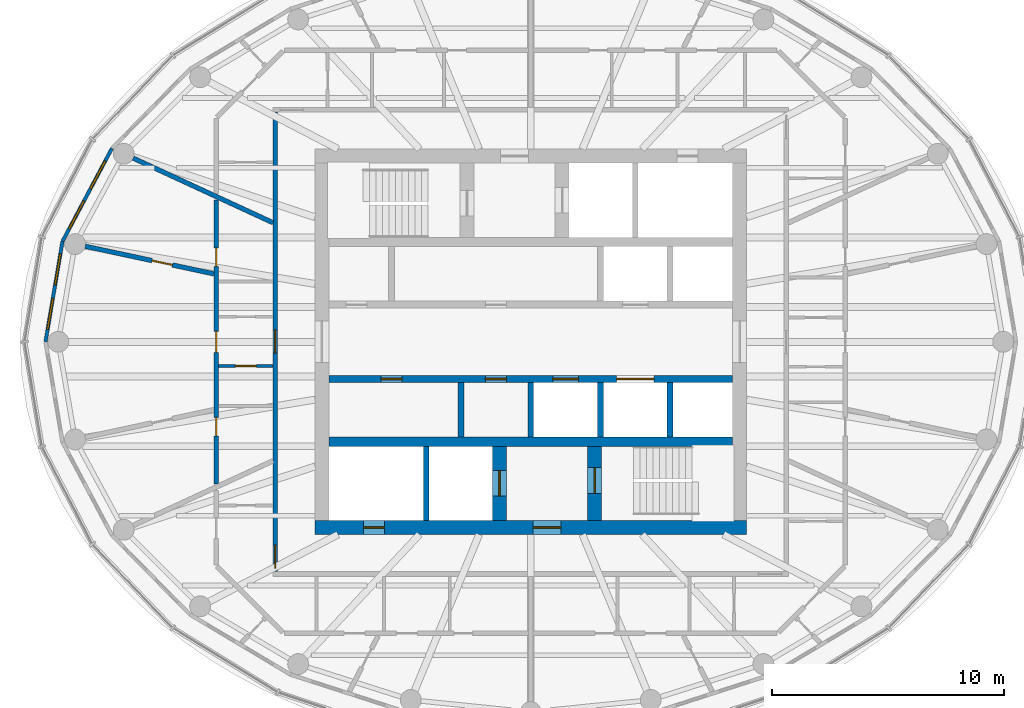
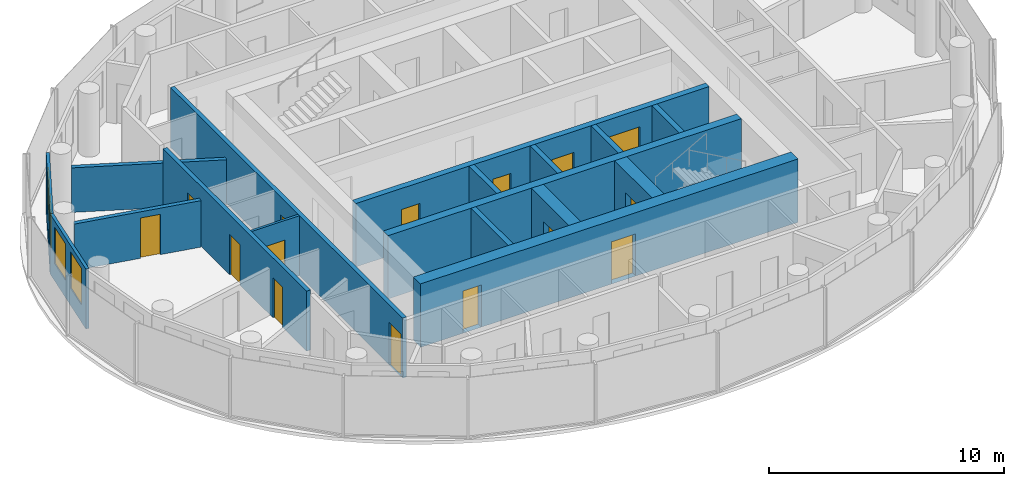
# One storey, part 6 of 11: 17 walls, 15 doors, 4 windows, 19 openings.
"""IFC4 building model written with IfcOpenShell, lengths in metres."""

from ifc_helpers import new_model, si_unit, direction, frame, frame_2d, origin, place, context, subcontext, project, spatial, rectangle, extrude, material, layer, layer_set, type_object, element, fill, save


model = new_model("IFC4")

# Units and contexts
model_context = context("Model", 3, precision=1e-05, world=origin(), true_north=direction((0.0, 1.0)))
body_context = subcontext(model_context, "Body", "Model", "MODEL_VIEW")
ifc_project = project(units=[si_unit("LENGTHUNIT", "METRE"), si_unit("AREAUNIT", "SQUARE_METRE"), si_unit("VOLUMEUNIT", "CUBIC_METRE"), si_unit("PLANEANGLEUNIT", "RADIAN"), si_unit("MASSUNIT", "GRAM", prefix="KILO")], contexts=[model_context])

# Site, building, storey
site_placement = place(None, origin())
site = spatial("IfcSite", under=ifc_project, at=site_placement, CompositionType="ELEMENT")
building_placement = place(site_placement, origin())
building = spatial("IfcBuilding", under=site, at=building_placement, Name="Hankou Lantern Tower", CompositionType="ELEMENT")
storey_placement = place(building_placement, frame((0.0, 0.0, 225.89990234375)))
storey = spatial("IfcBuildingStorey", under=building, at=storey_placement, Name="L61", CompositionType="ELEMENT", Elevation=225.89990234375)

# Wall, openings, doors
ifc_material_1 = material(Name="Concrete C60", Category="concrete")
ifc_layer_1 = layer(ifc_material_1, 0.60009765625)
ifc_layer_set_1 = layer_set([ifc_layer_1], Name="Concrete C60")
wall_type_1 = type_object("IfcWallType", Name="CW3 CORE WALL 600", PredefinedType="SHEAR", material=ifc_layer_set_1)
wall_1_placement = place(storey_placement, frame((9.300048828125, -8.0, 0.0), z_axis=(0.0, 0.0, 1.0), x_axis=(-1.0, 0.0, 0.0)))
wall_1 = element("IfcWall", 1, at=wall_1_placement, inside=storey, type_object=wall_type_1, Name="Core wall south L61", PredefinedType="SHEAR", context=body_context, shape_type="SweptSolid", body=[
    extrude(rectangle(XDim=18.60009765625, YDim=0.60009765625, at=frame_2d((9.300048828125, 0.0))), origin(), (0.0, 0.0, 1.0), 3.300048828125),
])
opening_1_placement = place(wall_1_placement, frame((8.0, 0.0, 0.0)))
opening_1 = element("IfcOpeningElement", 2, at=opening_1_placement, cuts=wall_1, Name="Opening D5", PredefinedType="OPENING", context=body_context, shape_type="SweptSolid", body=[
    extrude(rectangle(XDim=1.199951171875, YDim=2.199951171875, at=frame_2d((0.60009765625, 1.10009765625))), frame((0.0, 0.31005859375, 0.0), z_axis=(0.0, -1.0, 0.0), x_axis=(1.0, 0.0, 0.0)), (0.0, 0.0, 1.0), 0.6201171875),
])
opening_2_placement = place(wall_1_placement, frame((15.60009765625, 0.0, 0.0)))
opening_2 = element("IfcOpeningElement", 3, at=opening_2_placement, cuts=wall_1, Name="Opening D7", PredefinedType="OPENING", context=body_context, shape_type="SweptSolid", body=[
    extrude(rectangle(XDim=0.89990234375, YDim=2.199951171875, at=frame_2d((0.449951171875, 1.10009765625))), frame((0.0, 0.31005859375, 0.0), z_axis=(0.0, -1.0, 0.0), x_axis=(1.0, 0.0, 0.0)), (0.0, 0.0, 1.0), 0.6201171875),
])
ifc_material_2 = material(Name="Steel door leaf", Category="steel")
door_type_1 = type_object("IfcDoorType", Name="D5 STAIR LOBBY DOOR 1200X2200", OperationType="SINGLE_SWING_LEFT", PredefinedType="DOOR", material=ifc_material_2)
door_1_placement = place(opening_1_placement, origin())
door_1 = element("IfcDoor", 4, at=door_1_placement, inside=storey, type_object=door_type_1, Name="Stair B lobby door", OperationType="SINGLE_SWING_LEFT", OverallHeight=2.199951171875, OverallWidth=1.199951171875, PredefinedType="DOOR", context=body_context, shape_type="SweptSolid", body=[
    extrude(rectangle(XDim=1.199951171875, YDim=2.199951171875, at=frame_2d((0.60009765625, 1.10009765625))), frame((0.0, 0.02490234375, 0.0), z_axis=(0.0, -1.0, 0.0), x_axis=(1.0, 0.0, 0.0)), (0.0, 0.0, 1.0), 0.050048828125),
])
fill(opening_1, door_1)
ifc_material_3 = material(Name="Steel door leaf", Category="steel")
door_type_2 = type_object("IfcDoorType", Name="D7 RISER DOOR 900X2200", OperationType="SINGLE_SWING_LEFT", PredefinedType="DOOR", material=ifc_material_3)
door_2_placement = place(opening_2_placement, origin())
door_2 = element("IfcDoor", 5, at=door_2_placement, inside=storey, type_object=door_type_2, Name="Riser S1 door", OperationType="SINGLE_SWING_RIGHT", OverallHeight=2.199951171875, OverallWidth=0.89990234375, PredefinedType="DOOR", context=body_context, shape_type="SweptSolid", body=[
    extrude(rectangle(XDim=0.89990234375, YDim=2.199951171875, at=frame_2d((0.449951171875, 1.10009765625))), frame((0.0, 0.02490234375, 0.0), z_axis=(0.0, -1.0, 0.0), x_axis=(1.0, 0.0, 0.0)), (0.0, 0.0, 1.0), 0.050048828125),
])
fill(opening_2, door_2)

# Wall
ifc_material_4 = material(Name="Concrete C60", Category="concrete")
ifc_layer_2 = layer(ifc_material_4, 0.39990234375)
ifc_layer_set_2 = layer_set([ifc_layer_2], Name="Concrete C60")
wall_type_2 = type_object("IfcWallType", Name="CW4 CORE CROSS WALL 400", PredefinedType="SHEAR", material=ifc_layer_set_2)
wall_2_placement = place(storey_placement, frame((-8.699951171875, -4.300048828125, 0.0), z_axis=(0.0, 0.0, 1.0), x_axis=(1.0, 0.0, 0.0)))
element("IfcWall", 6, at=wall_2_placement, inside=storey, type_object=wall_type_2, Name="Core band wall south L61", PredefinedType="SHEAR", context=body_context, shape_type="SweptSolid", body=[
    extrude(rectangle(XDim=17.39990234375, YDim=0.39990234375, at=frame_2d((8.699951171875, 0.0))), origin(), (0.0, 0.0, 1.0), 3.300048828125),
])

# Wall, openings, doors
ifc_material_5 = material(Name="Concrete C60", Category="concrete")
ifc_layer_3 = layer(ifc_material_5, 0.300048828125)
ifc_layer_set_3 = layer_set([ifc_layer_3], Name="Concrete C60")
wall_type_3 = type_object("IfcWallType", Name="CW5 LIFT LOBBY WALL 300", PredefinedType="SHEAR", material=ifc_layer_set_3)
wall_3_placement = place(storey_placement, frame((-8.699951171875, -1.60009765625, 0.0), z_axis=(0.0, 0.0, 1.0), x_axis=(1.0, 0.0, 0.0)))
wall_3 = element("IfcWall", 7, at=wall_3_placement, inside=storey, type_object=wall_type_3, Name="Lift lobby wall south L61", PredefinedType="SHEAR", context=body_context, shape_type="SweptSolid", body=[
    extrude(rectangle(XDim=17.39990234375, YDim=0.300048828125, at=frame_2d((8.699951171875, 0.0))), origin(), (0.0, 0.0, 1.0), 3.300048828125),
])
opening_3_placement = place(wall_3_placement, frame((9.64990234375, 0.0, 0.0)))
opening_3 = element("IfcOpeningElement", 8, at=opening_3_placement, cuts=wall_3, Name="Opening LD1", PredefinedType="OPENING", context=body_context, shape_type="SweptSolid", body=[
    extrude(rectangle(XDim=1.10009765625, YDim=2.199951171875, at=frame_2d((0.550048828125, 1.10009765625))), frame((0.0, 0.159912109375, 0.0), z_axis=(0.0, -1.0, 0.0), x_axis=(1.0, 0.0, 0.0)), (0.0, 0.0, 1.0), 0.320068359375),
])
opening_4_placement = place(wall_3_placement, frame((12.39990234375, 0.0, 0.0)))
opening_4 = element("IfcOpeningElement", 9, at=opening_4_placement, cuts=wall_3, Name="Opening LD4", PredefinedType="OPENING", context=body_context, shape_type="SweptSolid", body=[
    extrude(rectangle(XDim=1.60009765625, YDim=2.39990234375, at=frame_2d((0.800048828125, 1.199951171875))), frame((0.0, 0.159912109375, 0.0), z_axis=(0.0, -1.0, 0.0), x_axis=(1.0, 0.0, 0.0)), (0.0, 0.0, 1.0), 0.320068359375),
])
opening_5_placement = place(wall_3_placement, frame((2.25, 0.0, 0.0)))
opening_5 = element("IfcOpeningElement", 10, at=opening_5_placement, cuts=wall_3, Name="Opening D30", PredefinedType="OPENING", context=body_context, shape_type="SweptSolid", body=[
    extrude(rectangle(XDim=0.89990234375, YDim=2.199951171875, at=frame_2d((0.449951171875, 1.10009765625))), frame((0.0, 0.159912109375, 0.0), z_axis=(0.0, -1.0, 0.0), x_axis=(1.0, 0.0, 0.0)), (0.0, 0.0, 1.0), 0.320068359375),
])
opening_6_placement = place(wall_3_placement, frame((6.75, 0.0, 0.0)))
opening_6 = element("IfcOpeningElement", 11, at=opening_6_placement, cuts=wall_3, Name="Opening D30", PredefinedType="OPENING", context=body_context, shape_type="SweptSolid", body=[
    extrude(rectangle(XDim=0.89990234375, YDim=2.199951171875, at=frame_2d((0.449951171875, 1.10009765625))), frame((0.0, 0.159912109375, 0.0), z_axis=(0.0, -1.0, 0.0), x_axis=(1.0, 0.0, 0.0)), (0.0, 0.0, 1.0), 0.320068359375),
])
ifc_material_6 = material(Name="Steel door leaf", Category="steel")
door_type_3 = type_object("IfcDoorType", Name="D30 CORE ROOM DOOR 900X2200", OperationType="SINGLE_SWING_LEFT", PredefinedType="DOOR", material=ifc_material_6)
door_3_placement = place(opening_5_placement, origin())
door_3 = element("IfcDoor", 12, at=door_3_placement, inside=storey, type_object=door_type_3, Name="Engineering store door", OperationType="SINGLE_SWING_LEFT", OverallHeight=2.199951171875, OverallWidth=0.89990234375, PredefinedType="DOOR", context=body_context, shape_type="SweptSolid", body=[
    extrude(rectangle(XDim=0.89990234375, YDim=2.199951171875, at=frame_2d((0.449951171875, 1.10009765625))), frame((0.0, 0.02490234375, 0.0), z_axis=(0.0, -1.0, 0.0), x_axis=(1.0, 0.0, 0.0)), (0.0, 0.0, 1.0), 0.050048828125),
])
fill(opening_5, door_3)
door_4_placement = place(opening_6_placement, origin())
door_4 = element("IfcDoor", 13, at=door_4_placement, inside=storey, type_object=door_type_3, Name="Cleaner's store door", OperationType="SINGLE_SWING_LEFT", OverallHeight=2.199951171875, OverallWidth=0.89990234375, PredefinedType="DOOR", context=body_context, shape_type="SweptSolid", body=[
    extrude(rectangle(XDim=0.89990234375, YDim=2.199951171875, at=frame_2d((0.449951171875, 1.10009765625))), frame((0.0, 0.02490234375, 0.0), z_axis=(0.0, -1.0, 0.0), x_axis=(1.0, 0.0, 0.0)), (0.0, 0.0, 1.0), 0.050048828125),
])
fill(opening_6, door_4)
ifc_material_7 = material(Name="Steel door leaf", Category="steel")
door_type_4 = type_object("IfcDoorType", Name="LD1 LIFT LANDING DOOR 1100X2200", OperationType="DOUBLE_DOOR_SLIDING", PredefinedType="DOOR", material=ifc_material_7)
door_5_placement = place(opening_3_placement, origin())
door_5 = element("IfcDoor", 14, at=door_5_placement, inside=storey, type_object=door_type_4, Name="Lift T2 landing door", OperationType="DOUBLE_DOOR_SLIDING", OverallHeight=2.199951171875, OverallWidth=1.10009765625, PredefinedType="DOOR", context=body_context, shape_type="SweptSolid", body=[
    extrude(rectangle(XDim=1.10009765625, YDim=2.199951171875, at=frame_2d((0.550048828125, 1.10009765625))), frame((0.0, 0.02490234375, 0.0), z_axis=(0.0, -1.0, 0.0), x_axis=(1.0, 0.0, 0.0)), (0.0, 0.0, 1.0), 0.050048828125),
])
fill(opening_3, door_5)
ifc_material_8 = material(Name="Steel door leaf", Category="steel")
door_type_5 = type_object("IfcDoorType", Name="LD4 SERVICE LIFT LANDING DOOR 1600X2400", OperationType="DOUBLE_DOOR_SLIDING", PredefinedType="DOOR", material=ifc_material_8)
door_6_placement = place(opening_4_placement, origin())
door_6 = element("IfcDoor", 15, at=door_6_placement, inside=storey, type_object=door_type_5, Name="Lift SV1 landing door", OperationType="DOUBLE_DOOR_SLIDING", OverallHeight=2.39990234375, OverallWidth=1.60009765625, PredefinedType="DOOR", context=body_context, shape_type="SweptSolid", body=[
    extrude(rectangle(XDim=1.60009765625, YDim=2.39990234375, at=frame_2d((0.800048828125, 1.199951171875))), frame((0.0, 0.02490234375, 0.0), z_axis=(0.0, -1.0, 0.0), x_axis=(1.0, 0.0, 0.0)), (0.0, 0.0, 1.0), 0.050048828125),
])
fill(opening_4, door_6)

# Wall, opening, door
ifc_material_9 = material(Name="Concrete C60", Category="concrete")
ifc_layer_4 = layer(ifc_material_9, 0.60009765625)
ifc_layer_set_4 = layer_set([ifc_layer_4], Name="Concrete C60")
wall_type_4 = type_object("IfcWallType", Name="CW6 STAIR AND SHAFT WALL 600", PredefinedType="SHEAR", material=ifc_layer_set_4)
wall_4_placement = place(storey_placement, frame((2.75, -7.699951171875, 0.0), z_axis=(0.0, 0.0, 1.0), x_axis=(0.0, 1.0, 0.0)))
wall_4 = element("IfcWall", 16, at=wall_4_placement, inside=storey, type_object=wall_type_4, Name="Stair wall L61", PredefinedType="SHEAR", context=body_context, shape_type="SweptSolid", body=[
    extrude(rectangle(XDim=3.199951171875, YDim=0.60009765625, at=frame_2d((1.60009765625, 0.0))), origin(), (0.0, 0.0, 1.0), 3.300048828125),
])
opening_7_placement = place(wall_4_placement, frame((1.175048828125, 0.0, 0.0)))
opening_7 = element("IfcOpeningElement", 17, at=opening_7_placement, cuts=wall_4, Name="Opening D4", PredefinedType="OPENING", context=body_context, shape_type="SweptSolid", body=[
    extrude(rectangle(XDim=1.10009765625, YDim=2.199951171875, at=frame_2d((0.550048828125, 1.10009765625))), frame((0.0, 0.31005859375, 0.0), z_axis=(0.0, -1.0, 0.0), x_axis=(1.0, 0.0, 0.0)), (0.0, 0.0, 1.0), 0.6201171875),
])
ifc_material_10 = material(Name="Steel door leaf", Category="steel")
door_type_6 = type_object("IfcDoorType", Name="D4 STAIR DOOR 1100X2200", OperationType="SINGLE_SWING_LEFT", PredefinedType="DOOR", material=ifc_material_10)
door_7_placement = place(opening_7_placement, origin())
door_7 = element("IfcDoor", 18, at=door_7_placement, inside=storey, type_object=door_type_6, Name="Stair B door", OperationType="SINGLE_SWING_RIGHT", OverallHeight=2.199951171875, OverallWidth=1.10009765625, PredefinedType="DOOR", context=body_context, shape_type="SweptSolid", body=[
    extrude(rectangle(XDim=1.10009765625, YDim=2.199951171875, at=frame_2d((0.550048828125, 1.10009765625))), frame((0.0, 0.02490234375, 0.0), z_axis=(0.0, -1.0, 0.0), x_axis=(1.0, 0.0, 0.0)), (0.0, 0.0, 1.0), 0.050048828125),
])
fill(opening_7, door_7)

wall_5_placement = place(storey_placement, frame((-1.35009765625, -7.699951171875, 0.0), z_axis=(0.0, 0.0, 1.0), x_axis=(0.0, 1.0, 0.0)))
wall_5 = element("IfcWall", 19, at=wall_5_placement, inside=storey, type_object=wall_type_4, Name="Firefighting lift shaft wall L61", PredefinedType="SHEAR", context=body_context, shape_type="SweptSolid", body=[
    extrude(rectangle(XDim=3.199951171875, YDim=0.60009765625, at=frame_2d((1.60009765625, 0.0))), origin(), (0.0, 0.0, 1.0), 3.300048828125),
])
opening_8_placement = place(wall_5_placement, frame((1.050048828125, 0.0, 0.0)))
opening_8 = element("IfcOpeningElement", 20, at=opening_8_placement, cuts=wall_5, Name="Opening LD2", PredefinedType="OPENING", context=body_context, shape_type="SweptSolid", body=[
    extrude(rectangle(XDim=1.10009765625, YDim=2.199951171875, at=frame_2d((0.550048828125, 1.10009765625))), frame((0.0, 0.31005859375, 0.0), z_axis=(0.0, -1.0, 0.0), x_axis=(1.0, 0.0, 0.0)), (0.0, 0.0, 1.0), 0.6201171875),
])
ifc_material_11 = material(Name="Steel door leaf", Category="steel")
door_type_7 = type_object("IfcDoorType", Name="LD2 FIREFIGHTING LIFT LANDING DOOR 1100X2200", OperationType="DOUBLE_DOOR_SLIDING", PredefinedType="DOOR", material=ifc_material_11)
door_8_placement = place(opening_8_placement, origin())
door_8 = element("IfcDoor", 21, at=door_8_placement, inside=storey, type_object=door_type_7, Name="Firefighting lift FL2 landing door", OperationType="DOUBLE_DOOR_SLIDING", OverallHeight=2.199951171875, OverallWidth=1.10009765625, PredefinedType="DOOR", context=body_context, shape_type="SweptSolid", body=[
    extrude(rectangle(XDim=1.10009765625, YDim=2.199951171875, at=frame_2d((0.550048828125, 1.10009765625))), frame((0.0, 0.02490234375, 0.0), z_axis=(0.0, -1.0, 0.0), x_axis=(1.0, 0.0, 0.0)), (0.0, 0.0, 1.0), 0.050048828125),
])
fill(opening_8, door_8)

# Wall, openings, windows
ifc_material_12 = material(Name="Aluminium spandrel panel on steel studs", Category="steel")
ifc_layer_5 = layer(ifc_material_12, 0.14990234375)
ifc_layer_set_5 = layer_set([ifc_layer_5], Name="Aluminium spandrel panel on steel studs")
wall_type_5 = type_object("IfcWallType", Name="EW1 INNER SKIN WALL 150", PredefinedType="ELEMENTEDWALL", material=ifc_layer_set_5)
wall_6_placement = place(storey_placement, frame((-18.03955078125, 8.33203125, 0.0), z_axis=(0.0, 0.0, 1.0), x_axis=(-0.469256152955, -0.883062094597, 0.0)))
wall_6 = element("IfcWall", 22, at=wall_6_placement, inside=storey, type_object=wall_type_5, Name="Inner skin R11-R12 L61", PredefinedType="ELEMENTEDWALL", context=body_context, shape_type="SweptSolid", body=[
    extrude(rectangle(XDim=4.539306640625, YDim=0.14990234375, at=frame_2d((2.26953125, 0.0))), origin(), (0.0, 0.0, 1.0), 3.1201171875),
])
opening_9_placement = place(wall_6_placement, frame((0.61962890625, 0.0, 0.89990234375)))
opening_9 = element("IfcOpeningElement", 23, at=opening_9_placement, cuts=wall_6, Name="Opening W4", PredefinedType="OPENING", context=body_context, shape_type="SweptSolid", body=[
    extrude(rectangle(XDim=1.35009765625, YDim=1.89990234375, at=frame_2d((0.675048828125, 0.949951171875))), frame((0.0, 0.0849609375, 0.0), z_axis=(0.0, -1.0, 0.0), x_axis=(1.0, 0.0, 0.0)), (0.0, 0.0, 1.0), 0.169921875),
])
opening_10_placement = place(wall_6_placement, frame((2.569580078125, 0.0, 0.89990234375)))
opening_10 = element("IfcOpeningElement", 24, at=opening_10_placement, cuts=wall_6, Name="Opening W4", PredefinedType="OPENING", context=body_context, shape_type="SweptSolid", body=[
    extrude(rectangle(XDim=1.35009765625, YDim=1.89990234375, at=frame_2d((0.675048828125, 0.949951171875))), frame((0.0, 0.0849609375, 0.0), z_axis=(0.0, -1.0, 0.0), x_axis=(1.0, 0.0, 0.0)), (0.0, 0.0, 1.0), 0.169921875),
])
ifc_material_13 = material(Name="Aluminium framed double glazed window", Category="aluminium")
window_type = type_object("IfcWindowType", Name="W4 SUITE WINDOW 1350X1900", PartitioningType="DOUBLE_PANEL_VERTICAL", PredefinedType="WINDOW", material=ifc_material_13)
window_1_placement = place(opening_9_placement, origin())
window_1 = element("IfcWindow", 25, at=window_1_placement, inside=storey, type_object=window_type, Name="Window R11.1 L61", OverallHeight=1.89990234375, OverallWidth=1.35009765625, PartitioningType="SINGLE_PANEL", PredefinedType="WINDOW", context=body_context, shape_type="SweptSolid", body=[
    extrude(rectangle(XDim=1.35009765625, YDim=1.89990234375, at=frame_2d((0.675048828125, 0.949951171875))), frame((0.0, 0.030029296875, 0.0), z_axis=(0.0, -1.0, 0.0), x_axis=(1.0, 0.0, 0.0)), (0.0, 0.0, 1.0), 0.06005859375),
])
fill(opening_9, window_1)
window_2_placement = place(opening_10_placement, origin())
window_2 = element("IfcWindow", 26, at=window_2_placement, inside=storey, type_object=window_type, Name="Window R11.2 L61", OverallHeight=1.89990234375, OverallWidth=1.35009765625, PartitioningType="SINGLE_PANEL", PredefinedType="WINDOW", context=body_context, shape_type="SweptSolid", body=[
    extrude(rectangle(XDim=1.35009765625, YDim=1.89990234375, at=frame_2d((0.675048828125, 0.949951171875))), frame((0.0, 0.030029296875, 0.0), z_axis=(0.0, -1.0, 0.0), x_axis=(1.0, 0.0, 0.0)), (0.0, 0.0, 1.0), 0.06005859375),
])
fill(opening_10, window_2)

wall_7_placement = place(storey_placement, frame((-20.169677734375, 4.323486328125, 0.0), z_axis=(0.0, 0.0, 1.0), x_axis=(-0.166538513568, -0.986034950445, 0.0)))
wall_7 = element("IfcWall", 27, at=wall_7_placement, inside=storey, type_object=wall_type_5, Name="Inner skin R12-R13 L61", PredefinedType="ELEMENTEDWALL", context=body_context, shape_type="SweptSolid", body=[
    extrude(rectangle(XDim=4.384765625, YDim=0.14990234375, at=frame_2d((2.1923828125, 0.0))), origin(), (0.0, 0.0, 1.0), 3.1201171875),
])
opening_11_placement = place(wall_7_placement, frame((0.54248046875, 0.0, 0.89990234375)))
opening_11 = element("IfcOpeningElement", 28, at=opening_11_placement, cuts=wall_7, Name="Opening W4", PredefinedType="OPENING", context=body_context, shape_type="SweptSolid", body=[
    extrude(rectangle(XDim=1.35009765625, YDim=1.89990234375, at=frame_2d((0.675048828125, 0.949951171875))), frame((0.0, 0.0849609375, 0.0), z_axis=(0.0, -1.0, 0.0), x_axis=(1.0, 0.0, 0.0)), (0.0, 0.0, 1.0), 0.169921875),
])
opening_12_placement = place(wall_7_placement, frame((2.492431640625, 0.0, 0.89990234375)))
opening_12 = element("IfcOpeningElement", 29, at=opening_12_placement, cuts=wall_7, Name="Opening W4", PredefinedType="OPENING", context=body_context, shape_type="SweptSolid", body=[
    extrude(rectangle(XDim=1.35009765625, YDim=1.89990234375, at=frame_2d((0.675048828125, 0.949951171875))), frame((0.0, 0.0849609375, 0.0), z_axis=(0.0, -1.0, 0.0), x_axis=(1.0, 0.0, 0.0)), (0.0, 0.0, 1.0), 0.169921875),
])
window_3_placement = place(opening_11_placement, origin())
window_3 = element("IfcWindow", 30, at=window_3_placement, inside=storey, type_object=window_type, Name="Window R12.1 L61", OverallHeight=1.89990234375, OverallWidth=1.35009765625, PartitioningType="SINGLE_PANEL", PredefinedType="WINDOW", context=body_context, shape_type="SweptSolid", body=[
    extrude(rectangle(XDim=1.35009765625, YDim=1.89990234375, at=frame_2d((0.675048828125, 0.949951171875))), frame((0.0, 0.030029296875, 0.0), z_axis=(0.0, -1.0, 0.0), x_axis=(1.0, 0.0, 0.0)), (0.0, 0.0, 1.0), 0.06005859375),
])
fill(opening_11, window_3)
window_4_placement = place(opening_12_placement, origin())
window_4 = element("IfcWindow", 31, at=window_4_placement, inside=storey, type_object=window_type, Name="Window R12.2 L61", OverallHeight=1.89990234375, OverallWidth=1.35009765625, PartitioningType="SINGLE_PANEL", PredefinedType="WINDOW", context=body_context, shape_type="SweptSolid", body=[
    extrude(rectangle(XDim=1.35009765625, YDim=1.89990234375, at=frame_2d((0.675048828125, 0.949951171875))), frame((0.0, 0.030029296875, 0.0), z_axis=(0.0, -1.0, 0.0), x_axis=(1.0, 0.0, 0.0)), (0.0, 0.0, 1.0), 0.06005859375),
])
fill(opening_12, window_4)

# Wall
ifc_material_14 = material(Name="Masonry lightweight concrete block", Category="masonry")
ifc_layer_6 = layer(ifc_material_14, 0.199951171875)
ifc_layer_set_6 = layer_set([ifc_layer_6], Name="Masonry lightweight concrete block")
wall_type_6 = type_object("IfcWallType", Name="IW1 GUEST ROOM PARTY WALL 200", PredefinedType="PARTITIONING", material=ifc_layer_set_6)
wall_8_placement = place(storey_placement, frame((-11.10009765625, 5.126953125, 0.0), z_axis=(0.0, 0.0, 1.0), x_axis=(-0.907840886552, 0.419314827672, 0.0)))
element("IfcWall", 32, at=wall_8_placement, inside=storey, type_object=wall_type_6, Name="Party wall R11", PredefinedType="PARTITIONING", context=body_context, shape_type="SweptSolid", body=[
    extrude(rectangle(XDim=6.63525390625, YDim=0.199951171875, at=frame_2d((3.317626953125, 0.0))), origin(), (0.0, 0.0, 1.0), 2.320068359375),
])

# Wall, openings, doors
ifc_material_15 = material(Name="Masonry lightweight concrete block", Category="masonry")
ifc_layer_7 = layer(ifc_material_15, 0.199951171875)
ifc_layer_set_7 = layer_set([ifc_layer_7], Name="Masonry lightweight concrete block")
wall_type_7 = type_object("IfcWallType", Name="IW2 CORRIDOR WALL 200", PredefinedType="PARTITIONING", material=ifc_layer_set_7)
wall_9_placement = place(storey_placement, frame((-11.0, 9.89990234375, 0.0), z_axis=(0.0, 0.0, 1.0), x_axis=(0.0, -1.0, 0.0)))
wall_9 = element("IfcWall", 33, at=wall_9_placement, inside=storey, type_object=wall_type_7, Name="Corridor wall west", PredefinedType="PARTITIONING", context=body_context, shape_type="SweptSolid", body=[
    extrude(rectangle(XDim=19.7998046875, YDim=0.199951171875, at=frame_2d((9.89990234375, 0.0))), origin(), (0.0, 0.0, 1.0), 3.1201171875),
])
opening_13_placement = place(wall_9_placement, frame((9.384521484375, 0.0, 0.0)))
opening_13 = element("IfcOpeningElement", 34, at=opening_13_placement, cuts=wall_9, Name="Opening D2", PredefinedType="OPENING", context=body_context, shape_type="SweptSolid", body=[
    extrude(rectangle(XDim=1.0, YDim=2.199951171875, at=frame_2d((0.5, 1.10009765625))), frame((0.0, 0.10986328125, 0.0), z_axis=(0.0, -1.0, 0.0), x_axis=(1.0, 0.0, 0.0)), (0.0, 0.0, 1.0), 0.219970703125),
])
opening_14_placement = place(wall_9_placement, frame((18.658203125, 0.0, 0.0)))
opening_14 = element("IfcOpeningElement", 35, at=opening_14_placement, cuts=wall_9, Name="Opening D2", PredefinedType="OPENING", context=body_context, shape_type="SweptSolid", body=[
    extrude(rectangle(XDim=1.0, YDim=2.199951171875, at=frame_2d((0.5, 1.10009765625))), frame((0.0, 0.10986328125, 0.0), z_axis=(0.0, -1.0, 0.0), x_axis=(1.0, 0.0, 0.0)), (0.0, 0.0, 1.0), 0.219970703125),
])
ifc_material_16 = material(Name="Steel door leaf", Category="steel")
door_type_8 = type_object("IfcDoorType", Name="D2 SUITE DOOR 1000X2200", OperationType="SINGLE_SWING_LEFT", PredefinedType="DOOR", material=ifc_material_16)
door_9_placement = place(opening_13_placement, origin())
door_9 = element("IfcDoor", 36, at=door_9_placement, inside=storey, type_object=door_type_8, Name="Suite door 6103", OperationType="SINGLE_SWING_LEFT", OverallHeight=2.199951171875, OverallWidth=1.0, PredefinedType="DOOR", context=body_context, shape_type="SweptSolid", body=[
    extrude(rectangle(XDim=1.0, YDim=2.199951171875, at=frame_2d((0.5, 1.10009765625))), frame((0.0, 0.02490234375, 0.0), z_axis=(0.0, -1.0, 0.0), x_axis=(1.0, 0.0, 0.0)), (0.0, 0.0, 1.0), 0.050048828125),
])
fill(opening_13, door_9)
door_10_placement = place(opening_14_placement, origin())
door_10 = element("IfcDoor", 37, at=door_10_placement, inside=storey, type_object=door_type_8, Name="Suite door 6104", OperationType="SINGLE_SWING_RIGHT", OverallHeight=2.199951171875, OverallWidth=1.0, PredefinedType="DOOR", context=body_context, shape_type="SweptSolid", body=[
    extrude(rectangle(XDim=1.0, YDim=2.199951171875, at=frame_2d((0.5, 1.10009765625))), frame((0.0, 0.02490234375, 0.0), z_axis=(0.0, -1.0, 0.0), x_axis=(1.0, 0.0, 0.0)), (0.0, 0.0, 1.0), 0.050048828125),
])
fill(opening_14, door_10)

# Wall, opening, door
ifc_material_17 = material(Name="Masonry lightweight concrete block", Category="masonry")
ifc_layer_8 = layer(ifc_material_17, 0.1201171875)
ifc_layer_set_8 = layer_set([ifc_layer_8], Name="Masonry lightweight concrete block")
wall_type_8 = type_object("IfcWallType", Name="IW3 BATHROOM WALL 120", PredefinedType="PARTITIONING", material=ifc_layer_set_8)
wall_10_placement = place(storey_placement, frame((-11.10009765625, -1.04443359375, 0.0), z_axis=(0.0, 0.0, 1.0), x_axis=(-1.0, 0.0, 0.0)))
wall_10 = element("IfcWall", 38, at=wall_10_placement, inside=storey, type_object=wall_type_8, Name="Box wall 6103 3", PredefinedType="PARTITIONING", context=body_context, shape_type="SweptSolid", body=[
    extrude(rectangle(XDim=2.349853515625, YDim=0.1201171875, at=frame_2d((1.1748046875, 0.0))), origin(), (0.0, 0.0, 1.0), 3.1201171875),
])
opening_15_placement = place(wall_10_placement, frame((0.719970703125, 0.0, 0.0)))
opening_15 = element("IfcOpeningElement", 39, at=opening_15_placement, cuts=wall_10, Name="Opening D27", PredefinedType="OPENING", context=body_context, shape_type="SweptSolid", body=[
    extrude(rectangle(XDim=0.89990234375, YDim=2.10009765625, at=frame_2d((0.449951171875, 1.050048828125))), frame((0.0, 0.070068359375, 0.0), z_axis=(0.0, -1.0, 0.0), x_axis=(1.0, 0.0, 0.0)), (0.0, 0.0, 1.0), 0.14013671875),
])
ifc_material_18 = material(Name="Timber door leaf", Category="wood")
door_type_9 = type_object("IfcDoorType", Name="D27 INTERNAL DOOR 900X2100", OperationType="SINGLE_SWING_LEFT", PredefinedType="DOOR", material=ifc_material_18)
door_11_placement = place(opening_15_placement, origin())
door_11 = element("IfcDoor", 40, at=door_11_placement, inside=storey, type_object=door_type_9, Name="Family suite 6103 walk-in wardrobe door", OperationType="SINGLE_SWING_LEFT", OverallHeight=2.10009765625, OverallWidth=0.89990234375, PredefinedType="DOOR", context=body_context, shape_type="SweptSolid", body=[
    extrude(rectangle(XDim=0.89990234375, YDim=2.10009765625, at=frame_2d((0.449951171875, 1.050048828125))), frame((0.0, 0.02490234375, 0.0), z_axis=(0.0, -1.0, 0.0), x_axis=(1.0, 0.0, 0.0)), (0.0, 0.0, 1.0), 0.050048828125),
])
fill(opening_15, door_11)

# Wall, openings, doors
ifc_material_19 = material(Name="Masonry lightweight concrete block", Category="masonry")
ifc_layer_9 = layer(ifc_material_19, 0.199951171875)
ifc_layer_set_9 = layer_set([ifc_layer_9], Name="Masonry lightweight concrete block")
wall_type_9 = type_object("IfcWallType", Name="IW6 SUITE PARTITION 200", PredefinedType="PARTITIONING", material=ifc_layer_set_9)
wall_11_placement = place(storey_placement, frame((-13.550048828125, 6.1171875, 0.0), z_axis=(0.0, 0.0, 1.0), x_axis=(0.0, -1.0, 0.0)))
wall_11 = element("IfcWall", 41, at=wall_11_placement, inside=storey, type_object=wall_type_9, Name="Suite foyer wall 6103", PredefinedType="PARTITIONING", context=body_context, shape_type="SweptSolid", body=[
    extrude(rectangle(XDim=12.239501953125, YDim=0.199951171875, at=frame_2d((6.11962890625, 0.0))), origin(), (0.0, 0.0, 1.0), 3.1201171875),
])
opening_16_placement = place(wall_11_placement, frame((2.070068359375, 0.0, 0.0)))
opening_16 = element("IfcOpeningElement", 42, at=opening_16_placement, cuts=wall_11, Name="Opening D3", PredefinedType="OPENING", context=body_context, shape_type="SweptSolid", body=[
    extrude(rectangle(XDim=0.800048828125, YDim=2.10009765625, at=frame_2d((0.39990234375, 1.050048828125))), frame((0.0, 0.10986328125, 0.0), z_axis=(0.0, -1.0, 0.0), x_axis=(1.0, 0.0, 0.0)), (0.0, 0.0, 1.0), 0.219970703125),
])
opening_17_placement = place(wall_11_placement, frame((9.3701171875, 0.0, 0.0)))
opening_17 = element("IfcOpeningElement", 43, at=opening_17_placement, cuts=wall_11, Name="Opening D3", PredefinedType="OPENING", context=body_context, shape_type="SweptSolid", body=[
    extrude(rectangle(XDim=0.800048828125, YDim=2.10009765625, at=frame_2d((0.39990234375, 1.050048828125))), frame((0.0, 0.10986328125, 0.0), z_axis=(0.0, -1.0, 0.0), x_axis=(1.0, 0.0, 0.0)), (0.0, 0.0, 1.0), 0.219970703125),
])
opening_18_placement = place(wall_11_placement, frame((5.669921875, 0.0, 0.0)))
opening_18 = element("IfcOpeningElement", 44, at=opening_18_placement, cuts=wall_11, Name="Opening D27", PredefinedType="OPENING", context=body_context, shape_type="SweptSolid", body=[
    extrude(rectangle(XDim=0.89990234375, YDim=2.10009765625, at=frame_2d((0.449951171875, 1.050048828125))), frame((0.0, 0.10986328125, 0.0), z_axis=(0.0, -1.0, 0.0), x_axis=(1.0, 0.0, 0.0)), (0.0, 0.0, 1.0), 0.219970703125),
])
door_12_placement = place(opening_18_placement, origin())
door_12 = element("IfcDoor", 45, at=door_12_placement, inside=storey, type_object=door_type_9, Name="Family suite 6103 living room door", OperationType="SINGLE_SWING_RIGHT", OverallHeight=2.10009765625, OverallWidth=0.89990234375, PredefinedType="DOOR", context=body_context, shape_type="SweptSolid", body=[
    extrude(rectangle(XDim=0.89990234375, YDim=2.10009765625, at=frame_2d((0.449951171875, 1.050048828125))), frame((0.0, 0.02490234375, 0.0), z_axis=(0.0, -1.0, 0.0), x_axis=(1.0, 0.0, 0.0)), (0.0, 0.0, 1.0), 0.050048828125),
])
fill(opening_18, door_12)
ifc_material_20 = material(Name="Timber door leaf", Category="wood")
door_type_10 = type_object("IfcDoorType", Name="D3 BATHROOM DOOR 800X2100", OperationType="SINGLE_SWING_LEFT", PredefinedType="DOOR", material=ifc_material_20)
door_13_placement = place(opening_16_placement, origin())
door_13 = element("IfcDoor", 46, at=door_13_placement, inside=storey, type_object=door_type_10, Name="Family suite 6103 bathroom door", OperationType="SINGLE_SWING_RIGHT", OverallHeight=2.10009765625, OverallWidth=0.800048828125, PredefinedType="DOOR", context=body_context, shape_type="SweptSolid", body=[
    extrude(rectangle(XDim=0.800048828125, YDim=2.10009765625, at=frame_2d((0.39990234375, 1.050048828125))), frame((0.0, 0.02490234375, 0.0), z_axis=(0.0, -1.0, 0.0), x_axis=(1.0, 0.0, 0.0)), (0.0, 0.0, 1.0), 0.050048828125),
])
fill(opening_16, door_13)
door_14_placement = place(opening_17_placement, origin())
door_14 = element("IfcDoor", 47, at=door_14_placement, inside=storey, type_object=door_type_10, Name="Family suite 6103 second bathroom door", OperationType="SINGLE_SWING_LEFT", OverallHeight=2.10009765625, OverallWidth=0.800048828125, PredefinedType="DOOR", context=body_context, shape_type="SweptSolid", body=[
    extrude(rectangle(XDim=0.800048828125, YDim=2.10009765625, at=frame_2d((0.39990234375, 1.050048828125))), frame((0.0, 0.02490234375, 0.0), z_axis=(0.0, -1.0, 0.0), x_axis=(1.0, 0.0, 0.0)), (0.0, 0.0, 1.0), 0.050048828125),
])
fill(opening_17, door_14)

# Wall, opening, door
wall_12_placement = place(storey_placement, frame((-13.65478515625, 2.927001953125, 0.0), z_axis=(0.0, 0.0, 1.0), x_axis=(-0.977790419294, 0.209585056568, 0.0)))
wall_12 = element("IfcWall", 48, at=wall_12_placement, inside=storey, type_object=wall_type_9, Name="Suite partition R12", PredefinedType="PARTITIONING", context=body_context, shape_type="SweptSolid", body=[
    extrude(rectangle(XDim=5.66015625, YDim=0.199951171875, at=frame_2d((2.830078125, 0.0))), origin(), (0.0, 0.0, 1.0), 2.420166015625),
])
opening_19_placement = place(wall_12_placement, frame((1.820068359375, 0.0, 0.0)))
opening_19 = element("IfcOpeningElement", 49, at=opening_19_placement, cuts=wall_12, Name="Opening D27", PredefinedType="OPENING", context=body_context, shape_type="SweptSolid", body=[
    extrude(rectangle(XDim=0.89990234375, YDim=2.10009765625, at=frame_2d((0.449951171875, 1.050048828125))), frame((0.0, 0.10986328125, 0.0), z_axis=(0.0, -1.0, 0.0), x_axis=(1.0, 0.0, 0.0)), (0.0, 0.0, 1.0), 0.219970703125),
])
door_15_placement = place(opening_19_placement, origin())
door_15 = element("IfcDoor", 50, at=door_15_placement, inside=storey, type_object=door_type_9, Name="Family suite 6103 bedroom door", OperationType="SINGLE_SWING_LEFT", OverallHeight=2.10009765625, OverallWidth=0.89990234375, PredefinedType="DOOR", context=body_context, shape_type="SweptSolid", body=[
    extrude(rectangle(XDim=0.89990234375, YDim=2.10009765625, at=frame_2d((0.449951171875, 1.050048828125))), frame((0.0, 0.02490234375, 0.0), z_axis=(0.0, -1.0, 0.0), x_axis=(1.0, 0.0, 0.0)), (0.0, 0.0, 1.0), 0.050048828125),
])
fill(opening_19, door_15)

# Walls
ifc_material_21 = material(Name="Masonry autoclaved aerated concrete block", Category="masonry")
ifc_layer_10 = layer(ifc_material_21, 0.25)
ifc_layer_set_10 = layer_set([ifc_layer_10], Name="Masonry autoclaved aerated concrete block")
wall_type_10 = type_object("IfcWallType", Name="SW1 SHAFT BLOCK WALL 250", PredefinedType="PARTITIONING", material=ifc_layer_set_10)
wall_13_placement = place(storey_placement, frame((-4.5, -7.699951171875, 0.0), z_axis=(0.0, 0.0, 1.0), x_axis=(0.0, 1.0, 0.0)))
element("IfcWall", 51, at=wall_13_placement, inside=storey, type_object=wall_type_10, Name="Riser wall L61", PredefinedType="PARTITIONING", context=body_context, shape_type="SweptSolid", body=[
    extrude(rectangle(XDim=3.199951171875, YDim=0.25, at=frame_2d((1.60009765625, 0.0))), origin(), (0.0, 0.0, 1.0), 3.300048828125),
])
for number, where, z_axis, x_axis, name in (
    (52, (-3.0, -4.10009765625, 0.0), (0.0, 0.0, 1.0), (0.0, 1.0, 0.0), "Lift shaft wall L61"),
    (53, (0.0, -4.10009765625, 0.0), (0.0, 0.0, 1.0), (0.0, 1.0, 0.0), "Lift shaft wall L61"),
    (54, (3.0, -4.10009765625, 0.0), (0.0, 0.0, 1.0), (0.0, 1.0, 0.0), "Lift shaft wall L61"),
    (55, (6.0, -4.10009765625, 0.0), (0.0, 0.0, 1.0), (0.0, 1.0, 0.0), "Lift shaft wall L61"),
):
    element("IfcWall", number, at=place(storey_placement, frame(where, z_axis=z_axis, x_axis=x_axis)), inside=storey, type_object=wall_type_10, Name=name, PredefinedType="PARTITIONING", context=body_context, shape_type="SweptSolid", body=[
        extrude(rectangle(XDim=2.35009765625, YDim=0.25, at=frame_2d((1.175048828125, 0.0))), origin(), (0.0, 0.0, 1.0), 3.300048828125),
    ])

save(model, "model.ifc")
